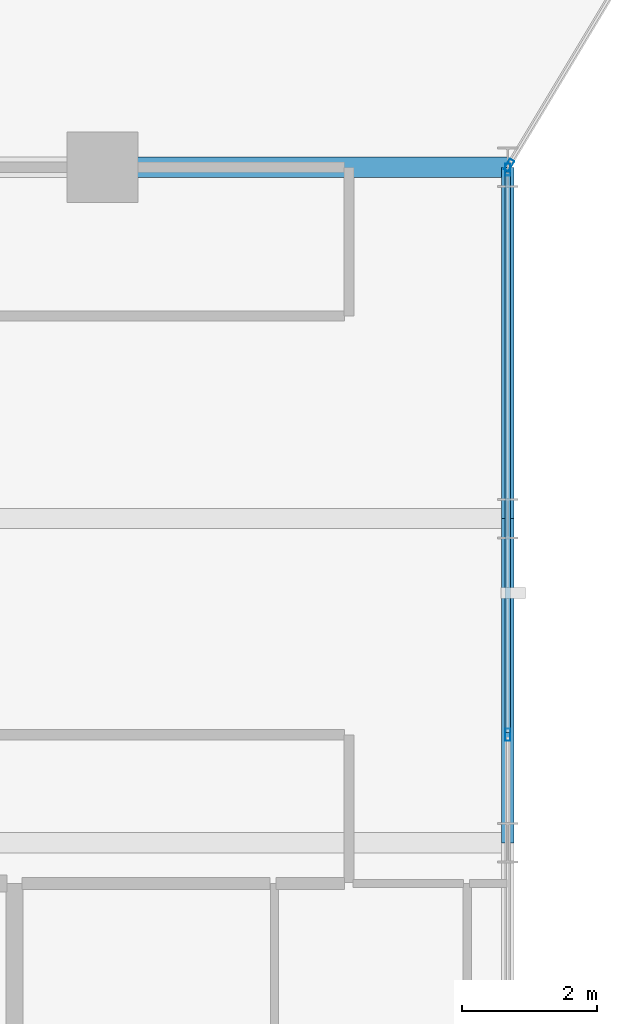
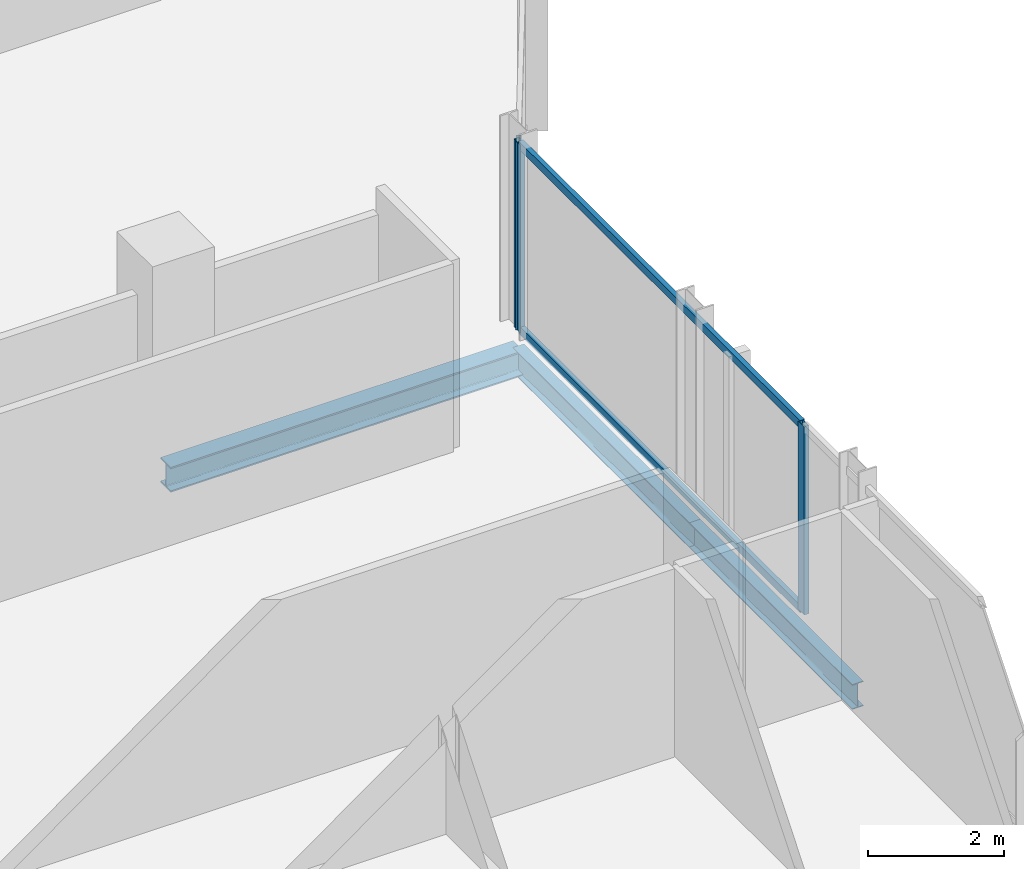
# One storey, part 12 of 30: 5 members, 3 beams, 2 elements without a shape of their own.
"""IFC4 building model written with IfcOpenShell, lengths in metres."""

from ifc_helpers import new_model, si_unit, direction, frame, origin, origin_2d, place, context, subcontext, project, spatial, hollow_rectangle, i_section, extrude, material, layer, layer_set, material_profile, profile_set, type_object, element, aggregate, save


model = new_model("IFC4")

# Units and contexts
model_context = context("Model", 3, precision=1e-05, world=origin(), true_north=direction((0.0, 1.0)))
body_context = subcontext(model_context, "Body", "Model", "MODEL_VIEW")
ifc_project = project(units=[si_unit("LENGTHUNIT", "METRE"), si_unit("AREAUNIT", "SQUARE_METRE"), si_unit("VOLUMEUNIT", "CUBIC_METRE"), si_unit("PLANEANGLEUNIT", "RADIAN"), si_unit("MASSUNIT", "GRAM", prefix="KILO")], contexts=[model_context])

# Site, building, storey
site_placement = place(None, origin())
site = spatial("IfcSite", under=ifc_project, at=site_placement, CompositionType="ELEMENT")
building_placement = place(site_placement, origin())
building = spatial("IfcBuilding", under=site, at=building_placement, Name="Keshet Zoharim Tower", CompositionType="ELEMENT")
storey_placement = place(building_placement, frame((0.0, 0.0, 109.39990234375)))
storey = spatial("IfcBuildingStorey", under=building, at=storey_placement, Name="L26", CompositionType="ELEMENT", Elevation=109.39990234375)

# Beams
ifc_material_1 = material(Name="Steel S355", Category="steel")
ifc_material_profile_1 = material_profile(ifc_material_1, i_section(OverallWidth=0.18994140625, OverallDepth=0.449951171875, WebThickness=0.009521484375, FlangeThickness=0.0146484375, FilletRadius=0.02099609375, at=origin_2d()), Name="IPE450")
ifc_profile_set_1 = profile_set([ifc_material_profile_1], Name="Steel S355")
beam_type_1 = type_object("IfcBeamType", Name="BM-PRI-IP450", PredefinedType="BEAM", material=ifc_profile_set_1)
beam_1_placement = place(storey_placement, frame((57.0, 17.89990234375, -0.539794921875), z_axis=(0.0, 1.0, 0.0), x_axis=(-1.0, 0.0, 0.0)))
element("IfcBeam", 1, at=beam_1_placement, inside=storey, type_object=beam_type_1, Name="L26 Primary Girder Y-015", PredefinedType="BEAM", context=body_context, shape_type="SweptSolid", body=[
    extrude(i_section(OverallWidth=0.18994140625, OverallDepth=0.449951171875, WebThickness=0.009521484375, FlangeThickness=0.0146484375, FilletRadius=0.02099609375, at=origin_2d()), origin(), (0.0, 0.0, 1.0), 4.800048828125),
])
beam_2_placement = place(storey_placement, frame((57.0, 22.699951171875, -0.539794921875), z_axis=(0.0, 1.0, 0.0), x_axis=(-1.0, 0.0, 0.0)))
element("IfcBeam", 2, at=beam_2_placement, inside=storey, type_object=beam_type_1, Name="L26 Primary Girder Y-016", PredefinedType="BEAM", context=body_context, shape_type="SweptSolid", body=[
    extrude(i_section(OverallWidth=0.18994140625, OverallDepth=0.449951171875, WebThickness=0.009521484375, FlangeThickness=0.0146484375, FilletRadius=0.02099609375, at=origin_2d()), origin(), (0.0, 0.0, 1.0), 5.199951171875),
])
ifc_material_profile_2 = material_profile(ifc_material_1, i_section(OverallWidth=0.300048828125, OverallDepth=0.449951171875, WebThickness=0.013916015625, FlangeThickness=0.02587890625, FilletRadius=0.027099609375, at=origin_2d()), Name="HEB450")
ifc_profile_set_2 = profile_set([ifc_material_profile_2], Name="Steel S355")
beam_type_2 = type_object("IfcBeamType", Name="BM-WEB-HB450", PredefinedType="BEAM", material=ifc_profile_set_2)
beam_3_placement = place(storey_placement, frame((51.0, 27.89990234375, -0.539794921875), z_axis=(1.0, 0.0, 0.0), x_axis=(0.0, 1.0, 0.0)))
element("IfcBeam", 3, at=beam_3_placement, inside=storey, type_object=beam_type_2, Name="L26 Primary Girder X-017", PredefinedType="BEAM", context=body_context, shape_type="SweptSolid", body=[
    extrude(i_section(OverallWidth=0.300048828125, OverallDepth=0.449951171875, WebThickness=0.013916015625, FlangeThickness=0.02587890625, FilletRadius=0.027099609375, at=origin_2d()), origin(), (0.0, 0.0, 1.0), 6.0),
])

# Curtain wall, member
ifc_material_2 = material(Name="Aluminium 6063-T6", Category="aluminium")
ifc_layer = layer(ifc_material_2, 0.159912109375)
ifc_layer_set = layer_set([ifc_layer], Name="Aluminium 6063-T6")
curtain_wall_type = type_object("IfcCurtainWallType", Name="CW-SYS-03", PredefinedType="NOTDEFINED", material=ifc_layer_set)
curtain_wall_1_placement = place(storey_placement, origin())
curtain_wall_1 = element("IfcCurtainWall", 4, at=curtain_wall_1_placement, inside=storey, type_object=curtain_wall_type, Name="L26 Unitised Curtain Wall 18", PredefinedType="NOTDEFINED")
ifc_material_profile_3 = material_profile(ifc_material_2, hollow_rectangle(XDim=0.080078125, YDim=0.179931640625, WallThickness=0.00439453125, at=origin_2d()), Name="MUL-80x180")
ifc_profile_set_3 = profile_set([ifc_material_profile_3], Name="Aluminium 6063-T6")
member_type_1 = type_object("IfcMemberType", Name="CWM-M18", PredefinedType="MULLION", material=ifc_profile_set_3)
member_1_placement = place(storey_placement, frame((57.01806640625, 27.929931640625, 0.0), z_axis=(0.0, 0.0, 1.0), x_axis=(0.857501477862, -0.514481501576, 0.0)))
member_1 = element("IfcMember", 5, at=member_1_placement, type_object=member_type_1, Name="CW-03 mullion 2", PredefinedType="MULLION", context=body_context, shape_type="SweptSolid", body=[
    extrude(hollow_rectangle(XDim=0.080078125, YDim=0.179931640625, WallThickness=0.00439453125, at=origin_2d()), origin(), (0.0, 0.0, 1.0), 3.385009765625),
])
aggregate(curtain_wall_1, [member_1])

# Curtain wall, members
curtain_wall_2_placement = place(storey_placement, origin())
curtain_wall_2 = element("IfcCurtainWall", 6, at=curtain_wall_2_placement, inside=storey, type_object=curtain_wall_type, Name="L26 Unitised Curtain Wall 19", PredefinedType="NOTDEFINED")
member_2_placement = place(storey_placement, frame((57.0, 27.864990234375, 0.0), z_axis=(0.0, 0.0, 1.0), x_axis=(1.0, 0.0, 0.0)))
member_2 = element("IfcMember", 7, at=member_2_placement, type_object=member_type_1, Name="CW-03 mullion 1", PredefinedType="MULLION", context=body_context, shape_type="SweptSolid", body=[
    extrude(hollow_rectangle(XDim=0.080078125, YDim=0.179931640625, WallThickness=0.00439453125, at=origin_2d()), origin(), (0.0, 0.0, 1.0), 3.385009765625),
])
member_3_placement = place(storey_placement, frame((57.0, 19.5, 0.0), z_axis=(0.0, 0.0, 1.0), x_axis=(1.0, 0.0, 0.0)))
member_3 = element("IfcMember", 8, at=member_3_placement, type_object=member_type_1, Name="CW-03 mullion 2", PredefinedType="MULLION", context=body_context, shape_type="SweptSolid", body=[
    extrude(hollow_rectangle(XDim=0.080078125, YDim=0.179931640625, WallThickness=0.00439453125, at=origin_2d()), origin(), (0.0, 0.0, 1.0), 3.385009765625),
])
ifc_material_profile_4 = material_profile(ifc_material_2, hollow_rectangle(XDim=0.080078125, YDim=0.139892578125, WallThickness=0.00390625, at=origin_2d()), Name="TRN-80x140")
ifc_profile_set_4 = profile_set([ifc_material_profile_4], Name="Aluminium 6063-T6")
member_type_2 = type_object("IfcMemberType", Name="CWT-T14", PredefinedType="USERDEFINED", material=ifc_profile_set_4)
member_4_placement = place(storey_placement, frame((57.0, 27.830078125, 0.03515625), z_axis=(0.0, -1.0, 0.0), x_axis=(1.0, 0.0, 0.0)))
member_4 = element("IfcMember", 9, at=member_4_placement, type_object=member_type_2, Name="CW-03 transom 1.1", ObjectType="TRANSOM", PredefinedType="USERDEFINED", context=body_context, shape_type="SweptSolid", body=[
    extrude(hollow_rectangle(XDim=0.080078125, YDim=0.139892578125, WallThickness=0.00390625, at=origin_2d()), origin(), (0.0, 0.0, 1.0), 8.295166015625),
])
member_5_placement = place(storey_placement, frame((57.0, 27.830078125, 3.35009765625), z_axis=(0.0, -1.0, 0.0), x_axis=(1.0, 0.0, 0.0)))
member_5 = element("IfcMember", 10, at=member_5_placement, type_object=member_type_2, Name="CW-03 transom 1.2", ObjectType="TRANSOM", PredefinedType="USERDEFINED", context=body_context, shape_type="SweptSolid", body=[
    extrude(hollow_rectangle(XDim=0.080078125, YDim=0.139892578125, WallThickness=0.00390625, at=origin_2d()), origin(), (0.0, 0.0, 1.0), 8.295166015625),
])
aggregate(curtain_wall_2, [member_2, member_3, member_4, member_5])

save(model, "model.ifc")
